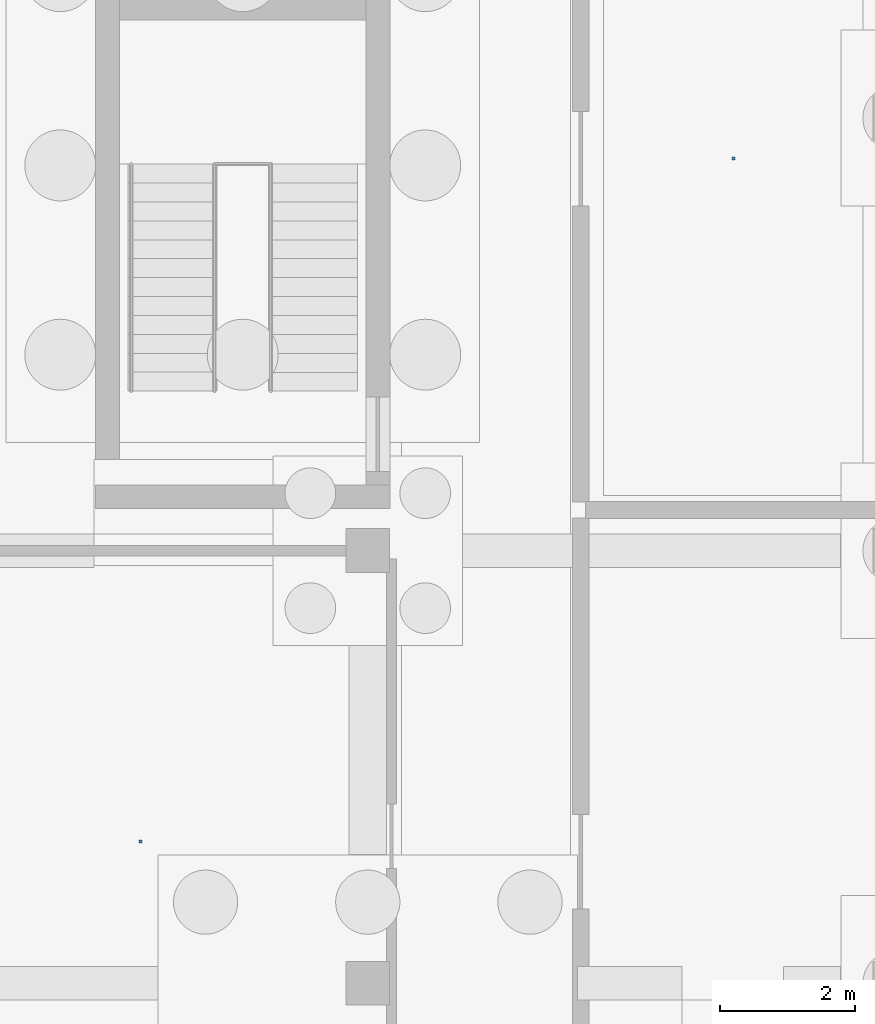
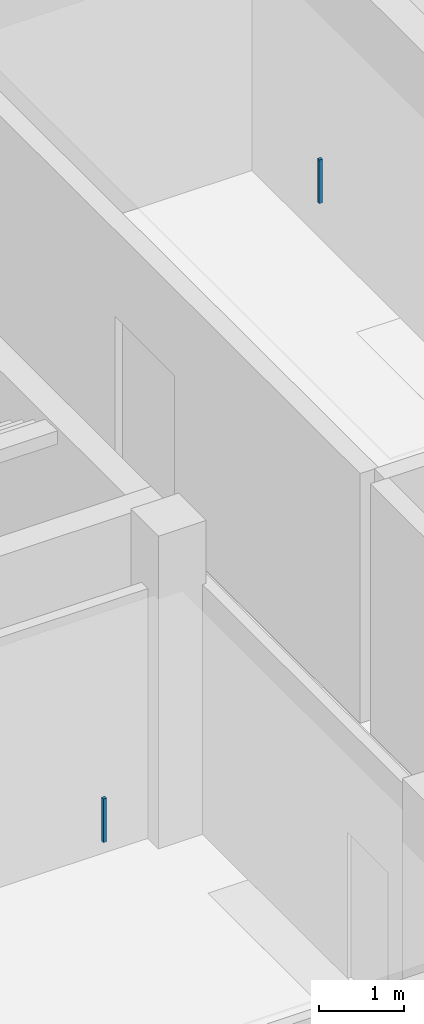
# One storey, part 19 of 21: 2 discrete accessories.
"""IFC4 building model written with IfcOpenShell, lengths in metres."""

from ifc_helpers import new_model, si_unit, derived_unit, direction, frame, origin, origin_2d, place, context, subcontext, project, spatial, rectangle, extrude, material, type_object, element, save


model = new_model("IFC4")

# Units and contexts
model_context = context("Model", 3, precision=1e-05, world=origin(), true_north=direction((0.0, 1.0)))
body_context = subcontext(model_context, "Body", "Model", "MODEL_VIEW")
ifc_project = project(units=[si_unit("LENGTHUNIT", "METRE"), si_unit("AREAUNIT", "SQUARE_METRE"), si_unit("VOLUMEUNIT", "CUBIC_METRE"), si_unit("PLANEANGLEUNIT", "RADIAN"), si_unit("MASSUNIT", "GRAM", prefix="KILO"), derived_unit("THERMALTRANSMITTANCEUNIT", [(si_unit("POWERUNIT", "WATT"), 1), (si_unit("LENGTHUNIT", "METRE"), -2), (si_unit("THERMODYNAMICTEMPERATUREUNIT", "KELVIN"), -1)])], contexts=[model_context])

# Site, building, storey
site_placement = place(None, origin())
site = spatial("IfcSite", under=ifc_project, at=site_placement, CompositionType="ELEMENT")
building_placement = place(site_placement, origin())
building = spatial("IfcBuilding", under=site, at=building_placement, Name="Braskholm Square Health Centre", CompositionType="ELEMENT")
storey_placement = place(building_placement, frame((0.0, 0.0, -4.5)))
storey = spatial("IfcBuildingStorey", under=building, at=storey_placement, Name="B01", CompositionType="ELEMENT", Elevation=-4.5)

# Discrete accessories
ifc_material = material(Name="Steel ASTM A500 Grade C", Category="steel")
discrete_accessory_type = type_object("IfcDiscreteAccessoryType", Name="CeilingSuspensionBracket", PredefinedType="BRACKET", material=ifc_material)
for number, where, z_axis, x_axis, name in (
    (1, (16.81005859375, 54.800048828125, 3.58203125), (0.0, 0.0, 1.0), (1.0, 0.0, 0.0), "Ceiling hanger bracket 0003"),
    (2, (8.0400390625, 44.699951171875, 3.58203125), (0.0, 0.0, 1.0), (1.0, 0.0, 0.0), "Ceiling hanger bracket 0005"),
):
    element("IfcDiscreteAccessory", number, at=place(storey_placement, frame(where, z_axis=z_axis, x_axis=x_axis)), inside=storey, type_object=discrete_accessory_type, Name=name, PredefinedType="BRACKET", context=body_context, shape_type="SweptSolid", body=[
        extrude(rectangle(XDim=0.044921875, YDim=0.044921875, at=origin_2d()), origin(), (0.0, 0.0, 1.0), 0.6298828125),
    ])

save(model, "model.ifc")
